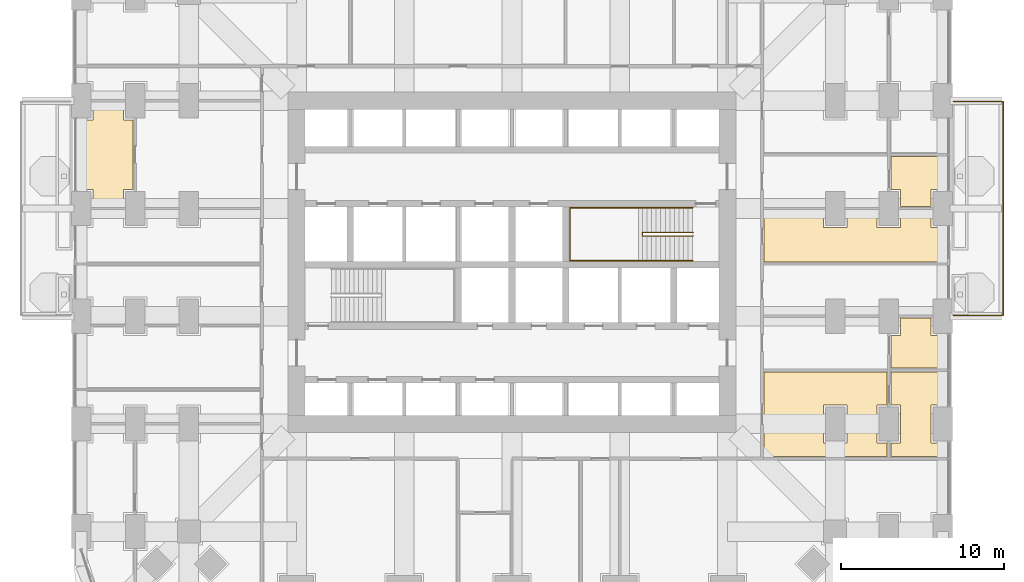
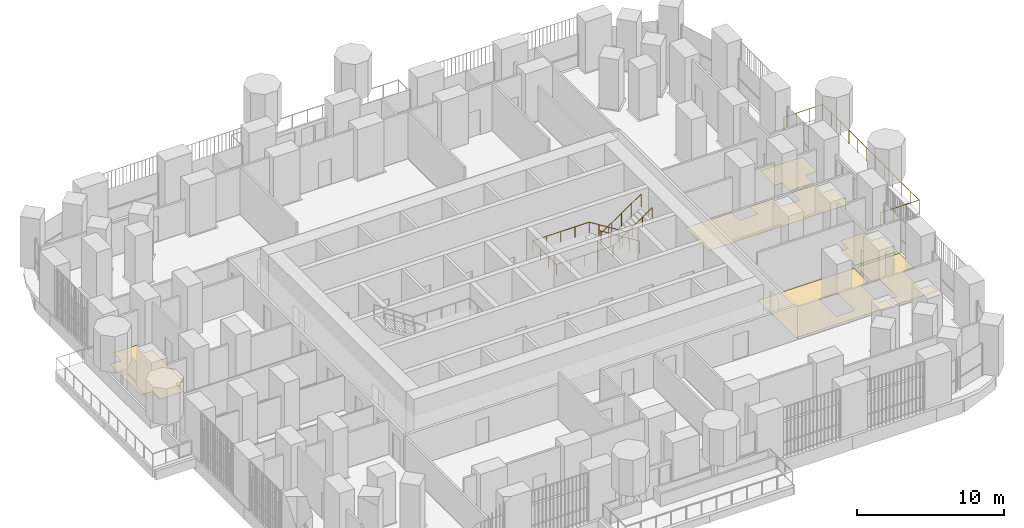
# One storey, part 24 of 26: 6 coverings, 3 railings.
"""IFC4 building model written with IfcOpenShell, lengths in metres."""

from ifc_helpers import new_model, si_unit, direction, frame, origin, place, context, subcontext, project, spatial, polyline, outline, extrude, material, layer, layer_set, type_object, element, save


model = new_model("IFC4")

# Units and contexts
model_context = context("Model", 3, precision=1e-05, world=origin(), true_north=direction((0.0, 1.0)))
body_context = subcontext(model_context, "Body", "Model", "MODEL_VIEW")
ifc_project = project(units=[si_unit("LENGTHUNIT", "METRE"), si_unit("AREAUNIT", "SQUARE_METRE"), si_unit("VOLUMEUNIT", "CUBIC_METRE"), si_unit("PLANEANGLEUNIT", "RADIAN"), si_unit("MASSUNIT", "GRAM", prefix="KILO")], contexts=[model_context])

# Site, building, storey
site_placement = place(None, origin())
site = spatial("IfcSite", under=ifc_project, at=site_placement, CompositionType="ELEMENT")
building_placement = place(site_placement, origin())
building = spatial("IfcBuilding", under=site, at=building_placement, Name="Cobogo Forest Laboratory Tower", CompositionType="ELEMENT")
storey_placement = place(building_placement, frame((0.0, 0.0, 50.699951171875)))
storey = spatial("IfcBuildingStorey", under=building, at=storey_placement, Name="L11", CompositionType="ELEMENT", Elevation=50.699951171875)

# Railing
ifc_material_1 = material(Name="Laminated glass balustrade", Category="glass")
railing_type_1 = type_object("IfcRailingType", Name="BG1 glass balustrade 1100", PredefinedType="GUARDRAIL", material=ifc_material_1)
railing_1_placement = place(storey_placement, frame((53.449951171875, 19.85009765625, 0.0)))
element("IfcRailing", 1, at=railing_1_placement, inside=storey, type_object=railing_type_1, Name="Balcony balustrade BAL-E1 L11", PredefinedType="GUARDRAIL", context=body_context, shape_type="SweptSolid", body=[
    extrude(outline(polyline([(0.022216796875, 0.00927734375), (0.00927734375, 0.022216796875), (-0.00927734375, 0.022216796875), (-0.022216796875, 0.00927734375), (-0.022216796875, -0.00927734375), (-0.00927734375, -0.022216796875), (0.00927734375, -0.022216796875), (0.022216796875, -0.00927734375), (0.022216796875, 0.00927734375)])), frame((0.0, 0.0, 1.077880859375), z_axis=(1.0, 0.0, 0.0), x_axis=(0.0, 1.0, 0.0)), (0.0, 0.0, 1.0), 3.050048828125),
    extrude(outline(polyline([(0.022216796875, 0.00927734375), (0.00927734375, 0.022216796875), (-0.00927734375, 0.022216796875), (-0.022216796875, 0.00927734375), (-0.022216796875, -0.00927734375), (-0.00927734375, -0.022216796875), (0.00927734375, -0.022216796875), (0.022216796875, -0.00927734375), (0.022216796875, 0.00927734375)])), frame((3.050048828125, 0.0, 1.077880859375), z_axis=(0.0, 1.0, 0.0), x_axis=(-1.0, 0.0, 0.0)), (0.0, 0.0, 1.0), 13.099853515625),
    extrude(outline(polyline([(0.022216796875, 0.00927734375), (0.00927734375, 0.022216796875), (-0.00927734375, 0.022216796875), (-0.022216796875, 0.00927734375), (-0.022216796875, -0.00927734375), (-0.00927734375, -0.022216796875), (0.00927734375, -0.022216796875), (0.022216796875, -0.00927734375), (0.022216796875, 0.00927734375)])), frame((3.050048828125, 13.099853515625, 1.077880859375), z_axis=(-1.0, 0.0, 0.0), x_axis=(0.0, -1.0, 0.0)), (0.0, 0.0, 1.0), 3.050048828125),
    extrude(outline(polyline([(0.019287109375, 0.008056640625), (0.008056640625, 0.019287109375), (-0.008056640625, 0.019287109375), (-0.019287109375, 0.008056640625), (-0.019287109375, -0.008056640625), (-0.008056640625, -0.019287109375), (0.008056640625, -0.019287109375), (0.019287109375, -0.008056640625), (0.019287109375, 0.008056640625)])), origin(), (0.0, 0.0, 1.0), 1.077880859375),
    extrude(outline(polyline([(0.019287109375, 0.008056640625), (0.008056640625, 0.019287109375), (-0.008056640625, 0.019287109375), (-0.019287109375, 0.008056640625), (-0.019287109375, -0.008056640625), (-0.008056640625, -0.019287109375), (0.008056640625, -0.019287109375), (0.019287109375, -0.008056640625), (0.019287109375, 0.008056640625)])), frame((1.0166015625, 0.0, 0.0)), (0.0, 0.0, 1.0), 1.077880859375),
    extrude(outline(polyline([(0.019287109375, 0.008056640625), (0.008056640625, 0.019287109375), (-0.008056640625, 0.019287109375), (-0.019287109375, 0.008056640625), (-0.019287109375, -0.008056640625), (-0.008056640625, -0.019287109375), (0.008056640625, -0.019287109375), (0.019287109375, -0.008056640625), (0.019287109375, 0.008056640625)])), frame((2.033447265625, 0.0, 0.0)), (0.0, 0.0, 1.0), 1.077880859375),
    extrude(outline(polyline([(0.019287109375, 0.008056640625), (0.008056640625, 0.019287109375), (-0.008056640625, 0.019287109375), (-0.019287109375, 0.008056640625), (-0.019287109375, -0.008056640625), (-0.008056640625, -0.019287109375), (0.008056640625, -0.019287109375), (0.019287109375, -0.008056640625), (0.019287109375, 0.008056640625)])), frame((3.050048828125, 0.0, 0.0)), (0.0, 0.0, 1.0), 1.077880859375),
    extrude(outline(polyline([(0.019287109375, 0.008056640625), (0.008056640625, 0.019287109375), (-0.008056640625, 0.019287109375), (-0.019287109375, 0.008056640625), (-0.019287109375, -0.008056640625), (-0.008056640625, -0.019287109375), (0.008056640625, -0.019287109375), (0.019287109375, -0.008056640625), (0.019287109375, 0.008056640625)])), frame((3.050048828125, 1.19091796875, 0.0)), (0.0, 0.0, 1.0), 1.077880859375),
    extrude(outline(polyline([(0.019287109375, 0.008056640625), (0.008056640625, 0.019287109375), (-0.008056640625, 0.019287109375), (-0.019287109375, 0.008056640625), (-0.019287109375, -0.008056640625), (-0.008056640625, -0.019287109375), (0.008056640625, -0.019287109375), (0.019287109375, -0.008056640625), (0.019287109375, 0.008056640625)])), frame((3.050048828125, 2.3818359375, 0.0)), (0.0, 0.0, 1.0), 1.077880859375),
    extrude(outline(polyline([(0.019287109375, 0.008056640625), (0.008056640625, 0.019287109375), (-0.008056640625, 0.019287109375), (-0.019287109375, 0.008056640625), (-0.019287109375, -0.008056640625), (-0.008056640625, -0.019287109375), (0.008056640625, -0.019287109375), (0.019287109375, -0.008056640625), (0.019287109375, 0.008056640625)])), frame((3.050048828125, 3.57275390625, 0.0)), (0.0, 0.0, 1.0), 1.077880859375),
    extrude(outline(polyline([(0.019287109375, 0.008056640625), (0.008056640625, 0.019287109375), (-0.008056640625, 0.019287109375), (-0.019287109375, 0.008056640625), (-0.019287109375, -0.008056640625), (-0.008056640625, -0.019287109375), (0.008056640625, -0.019287109375), (0.019287109375, -0.008056640625), (0.019287109375, 0.008056640625)])), frame((3.050048828125, 4.763671875, 0.0)), (0.0, 0.0, 1.0), 1.077880859375),
    extrude(outline(polyline([(0.019287109375, 0.008056640625), (0.008056640625, 0.019287109375), (-0.008056640625, 0.019287109375), (-0.019287109375, 0.008056640625), (-0.019287109375, -0.008056640625), (-0.008056640625, -0.019287109375), (0.008056640625, -0.019287109375), (0.019287109375, -0.008056640625), (0.019287109375, 0.008056640625)])), frame((3.050048828125, 5.95458984375, 0.0)), (0.0, 0.0, 1.0), 1.077880859375),
    extrude(outline(polyline([(0.019287109375, 0.008056640625), (0.008056640625, 0.019287109375), (-0.008056640625, 0.019287109375), (-0.019287109375, 0.008056640625), (-0.019287109375, -0.008056640625), (-0.008056640625, -0.019287109375), (0.008056640625, -0.019287109375), (0.019287109375, -0.008056640625), (0.019287109375, 0.008056640625)])), frame((3.050048828125, 7.145263671875, 0.0)), (0.0, 0.0, 1.0), 1.077880859375),
    extrude(outline(polyline([(0.019287109375, 0.008056640625), (0.008056640625, 0.019287109375), (-0.008056640625, 0.019287109375), (-0.019287109375, 0.008056640625), (-0.019287109375, -0.008056640625), (-0.008056640625, -0.019287109375), (0.008056640625, -0.019287109375), (0.019287109375, -0.008056640625), (0.019287109375, 0.008056640625)])), frame((3.050048828125, 8.336181640625, 0.0)), (0.0, 0.0, 1.0), 1.077880859375),
    extrude(outline(polyline([(0.019287109375, 0.008056640625), (0.008056640625, 0.019287109375), (-0.008056640625, 0.019287109375), (-0.019287109375, 0.008056640625), (-0.019287109375, -0.008056640625), (-0.008056640625, -0.019287109375), (0.008056640625, -0.019287109375), (0.019287109375, -0.008056640625), (0.019287109375, 0.008056640625)])), frame((3.050048828125, 9.527099609375, 0.0)), (0.0, 0.0, 1.0), 1.077880859375),
    extrude(outline(polyline([(0.019287109375, 0.008056640625), (0.008056640625, 0.019287109375), (-0.008056640625, 0.019287109375), (-0.019287109375, 0.008056640625), (-0.019287109375, -0.008056640625), (-0.008056640625, -0.019287109375), (0.008056640625, -0.019287109375), (0.019287109375, -0.008056640625), (0.019287109375, 0.008056640625)])), frame((3.050048828125, 10.718017578125, 0.0)), (0.0, 0.0, 1.0), 1.077880859375),
    extrude(outline(polyline([(0.019287109375, 0.008056640625), (0.008056640625, 0.019287109375), (-0.008056640625, 0.019287109375), (-0.019287109375, 0.008056640625), (-0.019287109375, -0.008056640625), (-0.008056640625, -0.019287109375), (0.008056640625, -0.019287109375), (0.019287109375, -0.008056640625), (0.019287109375, 0.008056640625)])), frame((3.050048828125, 11.908935546875, 0.0)), (0.0, 0.0, 1.0), 1.077880859375),
    extrude(outline(polyline([(0.019287109375, 0.008056640625), (0.008056640625, 0.019287109375), (-0.008056640625, 0.019287109375), (-0.019287109375, 0.008056640625), (-0.019287109375, -0.008056640625), (-0.008056640625, -0.019287109375), (0.008056640625, -0.019287109375), (0.019287109375, -0.008056640625), (0.019287109375, 0.008056640625)])), frame((3.050048828125, 13.099853515625, 0.0)), (0.0, 0.0, 1.0), 1.077880859375),
    extrude(outline(polyline([(0.019287109375, 0.008056640625), (0.008056640625, 0.019287109375), (-0.008056640625, 0.019287109375), (-0.019287109375, 0.008056640625), (-0.019287109375, -0.008056640625), (-0.008056640625, -0.019287109375), (0.008056640625, -0.019287109375), (0.019287109375, -0.008056640625), (0.019287109375, 0.008056640625)])), frame((2.033447265625, 13.099853515625, 0.0)), (0.0, 0.0, 1.0), 1.077880859375),
    extrude(outline(polyline([(0.019287109375, 0.008056640625), (0.008056640625, 0.019287109375), (-0.008056640625, 0.019287109375), (-0.019287109375, 0.008056640625), (-0.019287109375, -0.008056640625), (-0.008056640625, -0.019287109375), (0.008056640625, -0.019287109375), (0.019287109375, -0.008056640625), (0.019287109375, 0.008056640625)])), frame((1.0166015625, 13.099853515625, 0.0)), (0.0, 0.0, 1.0), 1.077880859375),
    extrude(outline(polyline([(0.019287109375, 0.008056640625), (0.008056640625, 0.019287109375), (-0.008056640625, 0.019287109375), (-0.019287109375, 0.008056640625), (-0.019287109375, -0.008056640625), (-0.008056640625, -0.019287109375), (0.008056640625, -0.019287109375), (0.019287109375, -0.008056640625), (0.019287109375, 0.008056640625)])), frame((0.0, 13.099853515625, 0.0)), (0.0, 0.0, 1.0), 1.077880859375),
])

# Coverings
ifc_material_2 = material(Name="Carpet tile on raised access floor", Category="flooring")
ifc_layer_1 = layer(ifc_material_2, 0.008056640625)
ifc_layer_set_1 = layer_set([ifc_layer_1], Name="CT1 carpet tile floor 8")
covering_type_1 = type_object("IfcCoveringType", Name="CT1 carpet tile floor 8", PredefinedType="FLOORING", material=ifc_layer_set_1)
covering_1_placement = place(storey_placement, origin())
element("IfcCovering", 2, at=covering_1_placement, inside=storey, type_object=covering_type_1, Name="Carpet floor L11-10", PredefinedType="FLOORING", context=body_context, shape_type="SweptSolid", body=[
    extrude(outline(polyline([(49.6201171875, 12.030029296875), (50.219970703125, 12.030029296875), (50.219970703125, 14.3701171875), (49.6201171875, 14.3701171875), (49.6201171875, 16.3798828125), (52.949951171875, 16.3798828125), (52.949951171875, 14.3701171875), (52.080078125, 14.3701171875), (52.080078125, 12.030029296875), (52.949951171875, 12.030029296875), (52.949951171875, 11.195068359375), (49.6201171875, 11.195068359375), (49.6201171875, 12.030029296875)])), origin(), (0.0, 0.0, 1.0), 0.008056640625),
])
covering_2_placement = place(storey_placement, origin())
element("IfcCovering", 3, at=covering_2_placement, inside=storey, type_object=covering_type_1, Name="Carpet floor L11-12", PredefinedType="FLOORING", context=body_context, shape_type="SweptSolid", body=[
    extrude(outline(polyline([(49.6201171875, 18.6298828125), (50.219970703125, 18.6298828125), (50.219970703125, 19.679931640625), (52.080078125, 19.679931640625), (52.080078125, 18.6298828125), (52.949951171875, 18.6298828125), (52.949951171875, 16.6201171875), (49.6201171875, 16.6201171875), (49.6201171875, 18.6298828125)])), origin(), (0.0, 0.0, 1.0), 0.008056640625),
])
covering_3_placement = place(storey_placement, origin())
element("IfcCovering", 4, at=covering_3_placement, inside=storey, type_object=covering_type_1, Name="Carpet floor L11-16", PredefinedType="FLOORING", context=body_context, shape_type="SweptSolid", body=[
    extrude(outline(polyline([(49.6201171875, 29.580078125), (52.949951171875, 29.580078125), (52.949951171875, 27.570068359375), (52.080078125, 27.570068359375), (52.080078125, 26.52001953125), (50.219970703125, 26.52001953125), (50.219970703125, 27.570068359375), (49.6201171875, 27.570068359375), (49.6201171875, 29.580078125)])), origin(), (0.0, 0.0, 1.0), 0.008056640625),
])
covering_4_placement = place(storey_placement, origin())
element("IfcCovering", 5, at=covering_4_placement, inside=storey, type_object=covering_type_1, Name="Carpet floor L11-35", PredefinedType="FLOORING", context=body_context, shape_type="SweptSolid", body=[
    extrude(outline(polyline([(3.179931640625, 27.570068359375), (2.580078125, 27.570068359375), (2.580078125, 26.52001953125), (0.719970703125, 26.52001953125), (0.719970703125, 27.570068359375), (-0.14990234375, 27.570068359375), (-0.14990234375, 31.830078125), (0.719970703125, 31.830078125), (0.719970703125, 32.8798828125), (2.580078125, 32.8798828125), (2.580078125, 31.830078125), (3.179931640625, 31.830078125), (3.179931640625, 27.570068359375)])), origin(), (0.0, 0.0, 1.0), 0.008056640625),
])

# Railings
ifc_material_3 = material(Name="Steel balustrade", Category="steel")
railing_type_2 = type_object("IfcRailingType", Name="GR stair guard 1100", PredefinedType="GUARDRAIL", material=ifc_material_3)
railing_2_placement = place(storey_placement, frame((37.47509765625, 24.929931640625, 0.175048828125)))
element("IfcRailing", 6, at=railing_2_placement, inside=storey, type_object=railing_type_2, Name="Stair guard ST2 L11", PredefinedType="GUARDRAIL", context=body_context, shape_type="SweptSolid", body=[
    extrude(outline(polyline([(0.022216796875, 0.00927734375), (0.00927734375, 0.022216796875), (-0.00927734375, 0.022216796875), (-0.022216796875, 0.00927734375), (-0.022216796875, -0.00927734375), (-0.00927734375, -0.022216796875), (0.00927734375, -0.022216796875), (0.022216796875, -0.00927734375), (0.022216796875, 0.00927734375)])), frame((0.0, 0.0, 1.077880859375), z_axis=(-0.847998304005, 0.0, 0.529998940003), x_axis=(0.0, -1.0, 0.0)), (0.0, 0.0, 1.0), 3.632080078125),
    extrude(outline(polyline([(0.022216796875, 0.00927734375), (0.00927734375, 0.022216796875), (-0.00927734375, 0.022216796875), (-0.022216796875, 0.00927734375), (-0.022216796875, -0.00927734375), (-0.00927734375, -0.022216796875), (0.00927734375, -0.022216796875), (0.022216796875, -0.00927734375), (0.022216796875, 0.00927734375)])), frame((-3.080078125, 0.0, 3.0029296875), z_axis=(0.0, -1.0, 0.0), x_axis=(1.0, 0.0, 0.0)), (0.0, 0.0, 1.0), 0.2099609375),
    extrude(outline(polyline([(0.022216796875, 0.00927734375), (0.00927734375, 0.022216796875), (-0.00927734375, 0.022216796875), (-0.022216796875, 0.00927734375), (-0.022216796875, -0.00927734375), (-0.00927734375, -0.022216796875), (0.00927734375, -0.022216796875), (0.022216796875, -0.00927734375), (0.022216796875, 0.00927734375)])), frame((-3.080078125, -0.2099609375, 3.0029296875), z_axis=(0.826252282691, 0.0, 0.563300244406), x_axis=(0.0, 1.0, 0.0)), (0.0, 0.0, 1.0), 3.727783203125),
    extrude(outline(polyline([(0.019287109375, 0.008056640625), (0.008056640625, 0.019287109375), (-0.008056640625, 0.019287109375), (-0.019287109375, 0.008056640625), (-0.019287109375, -0.008056640625), (-0.008056640625, -0.019287109375), (0.008056640625, -0.019287109375), (0.019287109375, -0.008056640625), (0.019287109375, 0.008056640625)])), origin(), (0.0, 0.0, 1.0), 1.077880859375),
    extrude(outline(polyline([(0.019287109375, 0.008056640625), (0.008056640625, 0.019287109375), (-0.008056640625, 0.019287109375), (-0.019287109375, 0.008056640625), (-0.019287109375, -0.008056640625), (-0.008056640625, -0.019287109375), (0.008056640625, -0.019287109375), (0.019287109375, -0.008056640625), (0.019287109375, 0.008056640625)])), frame((-0.77001953125, 0.0, 0.481201171875)), (0.0, 0.0, 1.0), 1.077880859375),
    extrude(outline(polyline([(0.019287109375, 0.008056640625), (0.008056640625, 0.019287109375), (-0.008056640625, 0.019287109375), (-0.019287109375, 0.008056640625), (-0.019287109375, -0.008056640625), (-0.008056640625, -0.019287109375), (0.008056640625, -0.019287109375), (0.019287109375, -0.008056640625), (0.019287109375, 0.008056640625)])), frame((-1.5400390625, 0.0, 0.96240234375)), (0.0, 0.0, 1.0), 1.077880859375),
    extrude(outline(polyline([(0.019287109375, 0.008056640625), (0.008056640625, 0.019287109375), (-0.008056640625, 0.019287109375), (-0.019287109375, 0.008056640625), (-0.019287109375, -0.008056640625), (-0.008056640625, -0.019287109375), (0.008056640625, -0.019287109375), (0.019287109375, -0.008056640625), (0.019287109375, 0.008056640625)])), frame((-2.31005859375, 0.0, 1.44384765625)), (0.0, 0.0, 1.0), 1.077880859375),
    extrude(outline(polyline([(0.019287109375, 0.008056640625), (0.008056640625, 0.019287109375), (-0.008056640625, 0.019287109375), (-0.019287109375, 0.008056640625), (-0.019287109375, -0.008056640625), (-0.008056640625, -0.019287109375), (0.008056640625, -0.019287109375), (0.019287109375, -0.008056640625), (0.019287109375, 0.008056640625)])), frame((-3.080078125, 0.0, 1.925048828125)), (0.0, 0.0, 1.0), 1.077880859375),
    extrude(outline(polyline([(0.019287109375, 0.008056640625), (0.008056640625, 0.019287109375), (-0.008056640625, 0.019287109375), (-0.019287109375, 0.008056640625), (-0.019287109375, -0.008056640625), (-0.008056640625, -0.019287109375), (0.008056640625, -0.019287109375), (0.019287109375, -0.008056640625), (0.019287109375, 0.008056640625)])), frame((-3.080078125, -0.2099609375, 1.925048828125)), (0.0, 0.0, 1.0), 1.077880859375),
    extrude(outline(polyline([(0.019287109375, 0.008056640625), (0.008056640625, 0.019287109375), (-0.008056640625, 0.019287109375), (-0.019287109375, 0.008056640625), (-0.019287109375, -0.008056640625), (-0.008056640625, -0.019287109375), (0.008056640625, -0.019287109375), (0.019287109375, -0.008056640625), (0.019287109375, 0.008056640625)])), frame((-2.31005859375, -0.2099609375, 2.449951171875)), (0.0, 0.0, 1.0), 1.077880859375),
    extrude(outline(polyline([(0.019287109375, 0.008056640625), (0.008056640625, 0.019287109375), (-0.008056640625, 0.019287109375), (-0.019287109375, 0.008056640625), (-0.019287109375, -0.008056640625), (-0.008056640625, -0.019287109375), (0.008056640625, -0.019287109375), (0.019287109375, -0.008056640625), (0.019287109375, 0.008056640625)])), frame((-1.5400390625, -0.2099609375, 2.97509765625)), (0.0, 0.0, 1.0), 1.077880859375),
    extrude(outline(polyline([(0.019287109375, 0.008056640625), (0.008056640625, 0.019287109375), (-0.008056640625, 0.019287109375), (-0.019287109375, 0.008056640625), (-0.019287109375, -0.008056640625), (-0.008056640625, -0.019287109375), (0.008056640625, -0.019287109375), (0.019287109375, -0.008056640625), (0.019287109375, 0.008056640625)])), frame((-0.77001953125, -0.2099609375, 3.5)), (0.0, 0.0, 1.0), 1.077880859375),
    extrude(outline(polyline([(0.019287109375, 0.008056640625), (0.008056640625, 0.019287109375), (-0.008056640625, 0.019287109375), (-0.019287109375, 0.008056640625), (-0.019287109375, -0.008056640625), (-0.008056640625, -0.019287109375), (0.008056640625, -0.019287109375), (0.019287109375, -0.008056640625), (0.019287109375, 0.008056640625)])), frame((0.0, -0.2099609375, 4.02490234375)), (0.0, 0.0, 1.0), 1.077880859375),
])
ifc_material_4 = material(Name="Stainless steel handrail", Category="steel")
railing_type_3 = type_object("IfcRailingType", Name="HR handrail 900", PredefinedType="HANDRAIL", material=ifc_material_4)
railing_3_placement = place(storey_placement, frame((37.47509765625, 26.449951171875, 0.175048828125)))
element("IfcRailing", 7, at=railing_3_placement, inside=storey, type_object=railing_type_3, Name="Stair handrail ST2 L11", PredefinedType="HANDRAIL", context=body_context, shape_type="SweptSolid", body=[
    extrude(outline(polyline([(0.022216796875, 0.00927734375), (0.00927734375, 0.022216796875), (-0.00927734375, 0.022216796875), (-0.022216796875, 0.00927734375), (-0.022216796875, -0.00927734375), (-0.00927734375, -0.022216796875), (0.00927734375, -0.022216796875), (0.022216796875, -0.00927734375), (0.022216796875, 0.00927734375)])), frame((0.0, 0.0, 0.877685546875), z_axis=(-0.847998304005, 0.0, 0.529998940003), x_axis=(0.0, -1.0, 0.0)), (0.0, 0.0, 1.0), 3.632080078125),
    extrude(outline(polyline([(0.022216796875, 0.00927734375), (0.00927734375, 0.022216796875), (-0.00927734375, 0.022216796875), (-0.022216796875, 0.00927734375), (-0.022216796875, -0.00927734375), (-0.00927734375, -0.022216796875), (0.00927734375, -0.022216796875), (0.022216796875, -0.00927734375), (0.022216796875, 0.00927734375)])), frame((-3.080078125, 0.0, 2.802734375), z_axis=(-1.0, 0.0, 0.0), x_axis=(0.0, -1.0, 0.0)), (0.0, 0.0, 1.0), 4.445068359375),
    extrude(outline(polyline([(0.022216796875, 0.00927734375), (0.00927734375, 0.022216796875), (-0.00927734375, 0.022216796875), (-0.022216796875, 0.00927734375), (-0.022216796875, -0.00927734375), (-0.00927734375, -0.022216796875), (0.00927734375, -0.022216796875), (0.022216796875, -0.00927734375), (0.022216796875, 0.00927734375)])), frame((-7.525146484375, 0.0, 2.802734375), z_axis=(0.0, -1.0, 0.0), x_axis=(1.0, 0.0, 0.0)), (0.0, 0.0, 1.0), 3.25),
    extrude(outline(polyline([(0.022216796875, 0.00927734375), (0.00927734375, 0.022216796875), (-0.00927734375, 0.022216796875), (-0.022216796875, 0.00927734375), (-0.022216796875, -0.00927734375), (-0.00927734375, -0.022216796875), (0.00927734375, -0.022216796875), (0.022216796875, -0.00927734375), (0.022216796875, 0.00927734375)])), frame((-7.525146484375, -3.25, 2.802734375), z_axis=(1.0, 0.0, 0.0), x_axis=(0.0, 1.0, 0.0)), (0.0, 0.0, 1.0), 4.445068359375),
    extrude(outline(polyline([(0.022216796875, 0.00927734375), (0.00927734375, 0.022216796875), (-0.00927734375, 0.022216796875), (-0.022216796875, 0.00927734375), (-0.022216796875, -0.00927734375), (-0.00927734375, -0.022216796875), (0.00927734375, -0.022216796875), (0.022216796875, -0.00927734375), (0.022216796875, 0.00927734375)])), frame((-3.080078125, -3.25, 2.802734375), z_axis=(0.826252282691, 0.0, 0.563300244406), x_axis=(0.0, 1.0, 0.0)), (0.0, 0.0, 1.0), 3.727783203125),
    extrude(outline(polyline([(0.019287109375, 0.008056640625), (0.008056640625, 0.019287109375), (-0.008056640625, 0.019287109375), (-0.019287109375, 0.008056640625), (-0.019287109375, -0.008056640625), (-0.008056640625, -0.019287109375), (0.008056640625, -0.019287109375), (0.019287109375, -0.008056640625), (0.019287109375, 0.008056640625)])), origin(), (0.0, 0.0, 1.0), 0.877685546875),
    extrude(outline(polyline([(0.019287109375, 0.008056640625), (0.008056640625, 0.019287109375), (-0.008056640625, 0.019287109375), (-0.019287109375, 0.008056640625), (-0.019287109375, -0.008056640625), (-0.008056640625, -0.019287109375), (0.008056640625, -0.019287109375), (0.019287109375, -0.008056640625), (0.019287109375, 0.008056640625)])), frame((-0.77001953125, 0.0, 0.481201171875)), (0.0, 0.0, 1.0), 0.877685546875),
    extrude(outline(polyline([(0.019287109375, 0.008056640625), (0.008056640625, 0.019287109375), (-0.008056640625, 0.019287109375), (-0.019287109375, 0.008056640625), (-0.019287109375, -0.008056640625), (-0.008056640625, -0.019287109375), (0.008056640625, -0.019287109375), (0.019287109375, -0.008056640625), (0.019287109375, 0.008056640625)])), frame((-1.5400390625, 0.0, 0.96240234375)), (0.0, 0.0, 1.0), 0.877685546875),
    extrude(outline(polyline([(0.019287109375, 0.008056640625), (0.008056640625, 0.019287109375), (-0.008056640625, 0.019287109375), (-0.019287109375, 0.008056640625), (-0.019287109375, -0.008056640625), (-0.008056640625, -0.019287109375), (0.008056640625, -0.019287109375), (0.019287109375, -0.008056640625), (0.019287109375, 0.008056640625)])), frame((-2.31005859375, 0.0, 1.44384765625)), (0.0, 0.0, 1.0), 0.877685546875),
    extrude(outline(polyline([(0.019287109375, 0.008056640625), (0.008056640625, 0.019287109375), (-0.008056640625, 0.019287109375), (-0.019287109375, 0.008056640625), (-0.019287109375, -0.008056640625), (-0.008056640625, -0.019287109375), (0.008056640625, -0.019287109375), (0.019287109375, -0.008056640625), (0.019287109375, 0.008056640625)])), frame((-3.080078125, 0.0, 1.925048828125)), (0.0, 0.0, 1.0), 0.877685546875),
    extrude(outline(polyline([(0.019287109375, 0.008056640625), (0.008056640625, 0.019287109375), (-0.008056640625, 0.019287109375), (-0.019287109375, 0.008056640625), (-0.019287109375, -0.008056640625), (-0.008056640625, -0.019287109375), (0.008056640625, -0.019287109375), (0.019287109375, -0.008056640625), (0.019287109375, 0.008056640625)])), frame((-4.19140625, 0.0, 1.925048828125)), (0.0, 0.0, 1.0), 0.877685546875),
    extrude(outline(polyline([(0.019287109375, 0.008056640625), (0.008056640625, 0.019287109375), (-0.008056640625, 0.019287109375), (-0.019287109375, 0.008056640625), (-0.019287109375, -0.008056640625), (-0.008056640625, -0.019287109375), (0.008056640625, -0.019287109375), (0.019287109375, -0.008056640625), (0.019287109375, 0.008056640625)])), frame((-5.302734375, 0.0, 1.925048828125)), (0.0, 0.0, 1.0), 0.877685546875),
    extrude(outline(polyline([(0.019287109375, 0.008056640625), (0.008056640625, 0.019287109375), (-0.008056640625, 0.019287109375), (-0.019287109375, 0.008056640625), (-0.019287109375, -0.008056640625), (-0.008056640625, -0.019287109375), (0.008056640625, -0.019287109375), (0.019287109375, -0.008056640625), (0.019287109375, 0.008056640625)])), frame((-6.413818359375, 0.0, 1.925048828125)), (0.0, 0.0, 1.0), 0.877685546875),
    extrude(outline(polyline([(0.019287109375, 0.008056640625), (0.008056640625, 0.019287109375), (-0.008056640625, 0.019287109375), (-0.019287109375, 0.008056640625), (-0.019287109375, -0.008056640625), (-0.008056640625, -0.019287109375), (0.008056640625, -0.019287109375), (0.019287109375, -0.008056640625), (0.019287109375, 0.008056640625)])), frame((-7.525146484375, 0.0, 1.925048828125)), (0.0, 0.0, 1.0), 0.877685546875),
    extrude(outline(polyline([(0.019287109375, 0.008056640625), (0.008056640625, 0.019287109375), (-0.008056640625, 0.019287109375), (-0.019287109375, 0.008056640625), (-0.019287109375, -0.008056640625), (-0.008056640625, -0.019287109375), (0.008056640625, -0.019287109375), (0.019287109375, -0.008056640625), (0.019287109375, 0.008056640625)])), frame((-7.525146484375, -1.083251953125, 1.925048828125)), (0.0, 0.0, 1.0), 0.877685546875),
    extrude(outline(polyline([(0.019287109375, 0.008056640625), (0.008056640625, 0.019287109375), (-0.008056640625, 0.019287109375), (-0.019287109375, 0.008056640625), (-0.019287109375, -0.008056640625), (-0.008056640625, -0.019287109375), (0.008056640625, -0.019287109375), (0.019287109375, -0.008056640625), (0.019287109375, 0.008056640625)])), frame((-7.525146484375, -2.166748046875, 1.925048828125)), (0.0, 0.0, 1.0), 0.877685546875),
    extrude(outline(polyline([(0.019287109375, 0.008056640625), (0.008056640625, 0.019287109375), (-0.008056640625, 0.019287109375), (-0.019287109375, 0.008056640625), (-0.019287109375, -0.008056640625), (-0.008056640625, -0.019287109375), (0.008056640625, -0.019287109375), (0.019287109375, -0.008056640625), (0.019287109375, 0.008056640625)])), frame((-7.525146484375, -3.25, 1.925048828125)), (0.0, 0.0, 1.0), 0.877685546875),
    extrude(outline(polyline([(0.019287109375, 0.008056640625), (0.008056640625, 0.019287109375), (-0.008056640625, 0.019287109375), (-0.019287109375, 0.008056640625), (-0.019287109375, -0.008056640625), (-0.008056640625, -0.019287109375), (0.008056640625, -0.019287109375), (0.019287109375, -0.008056640625), (0.019287109375, 0.008056640625)])), frame((-6.413818359375, -3.25, 1.925048828125)), (0.0, 0.0, 1.0), 0.877685546875),
    extrude(outline(polyline([(0.019287109375, 0.008056640625), (0.008056640625, 0.019287109375), (-0.008056640625, 0.019287109375), (-0.019287109375, 0.008056640625), (-0.019287109375, -0.008056640625), (-0.008056640625, -0.019287109375), (0.008056640625, -0.019287109375), (0.019287109375, -0.008056640625), (0.019287109375, 0.008056640625)])), frame((-5.302734375, -3.25, 1.925048828125)), (0.0, 0.0, 1.0), 0.877685546875),
    extrude(outline(polyline([(0.019287109375, 0.008056640625), (0.008056640625, 0.019287109375), (-0.008056640625, 0.019287109375), (-0.019287109375, 0.008056640625), (-0.019287109375, -0.008056640625), (-0.008056640625, -0.019287109375), (0.008056640625, -0.019287109375), (0.019287109375, -0.008056640625), (0.019287109375, 0.008056640625)])), frame((-4.19140625, -3.25, 1.925048828125)), (0.0, 0.0, 1.0), 0.877685546875),
    extrude(outline(polyline([(0.019287109375, 0.008056640625), (0.008056640625, 0.019287109375), (-0.008056640625, 0.019287109375), (-0.019287109375, 0.008056640625), (-0.019287109375, -0.008056640625), (-0.008056640625, -0.019287109375), (0.008056640625, -0.019287109375), (0.019287109375, -0.008056640625), (0.019287109375, 0.008056640625)])), frame((-3.080078125, -3.25, 1.925048828125)), (0.0, 0.0, 1.0), 0.877685546875),
    extrude(outline(polyline([(0.019287109375, 0.008056640625), (0.008056640625, 0.019287109375), (-0.008056640625, 0.019287109375), (-0.019287109375, 0.008056640625), (-0.019287109375, -0.008056640625), (-0.008056640625, -0.019287109375), (0.008056640625, -0.019287109375), (0.019287109375, -0.008056640625), (0.019287109375, 0.008056640625)])), frame((-2.31005859375, -3.25, 2.449951171875)), (0.0, 0.0, 1.0), 0.877685546875),
    extrude(outline(polyline([(0.019287109375, 0.008056640625), (0.008056640625, 0.019287109375), (-0.008056640625, 0.019287109375), (-0.019287109375, 0.008056640625), (-0.019287109375, -0.008056640625), (-0.008056640625, -0.019287109375), (0.008056640625, -0.019287109375), (0.019287109375, -0.008056640625), (0.019287109375, 0.008056640625)])), frame((-1.5400390625, -3.25, 2.97509765625)), (0.0, 0.0, 1.0), 0.877685546875),
    extrude(outline(polyline([(0.019287109375, 0.008056640625), (0.008056640625, 0.019287109375), (-0.008056640625, 0.019287109375), (-0.019287109375, 0.008056640625), (-0.019287109375, -0.008056640625), (-0.008056640625, -0.019287109375), (0.008056640625, -0.019287109375), (0.019287109375, -0.008056640625), (0.019287109375, 0.008056640625)])), frame((-0.77001953125, -3.25, 3.5)), (0.0, 0.0, 1.0), 0.877685546875),
    extrude(outline(polyline([(0.019287109375, 0.008056640625), (0.008056640625, 0.019287109375), (-0.008056640625, 0.019287109375), (-0.019287109375, 0.008056640625), (-0.019287109375, -0.008056640625), (-0.008056640625, -0.019287109375), (0.008056640625, -0.019287109375), (0.019287109375, -0.008056640625), (0.019287109375, 0.008056640625)])), frame((0.0, -3.25, 4.02490234375)), (0.0, 0.0, 1.0), 0.877685546875),
])

# Coverings
ifc_material_5 = material(Name="Epoxy resin flooring", Category="flooring")
ifc_layer_2 = layer(ifc_material_5, 0.00390625)
ifc_layer_set_2 = layer_set([ifc_layer_2], Name="LF1 epoxy laboratory floor 4")
covering_type_2 = type_object("IfcCoveringType", Name="LF1 epoxy laboratory floor 4", PredefinedType="FLOORING", material=ifc_layer_set_2)
covering_5_placement = place(storey_placement, origin())
element("IfcCovering", 8, at=covering_5_placement, inside=storey, type_object=covering_type_2, Name="Epoxy laboratory floor L11-09", PredefinedType="FLOORING", context=body_context, shape_type="SweptSolid", body=[
    extrude(outline(polyline([(41.844970703125, 16.3798828125), (49.3798828125, 16.3798828125), (49.3798828125, 14.3701171875), (48.780029296875, 14.3701171875), (48.780029296875, 12.030029296875), (49.3798828125, 12.030029296875), (49.3798828125, 11.195068359375), (41.844970703125, 11.195068359375), (41.844970703125, 16.3798828125)]), holes=[polyline([(45.47998046875, 12.030029296875), (46.919921875, 12.030029296875), (46.919921875, 14.3701171875), (45.47998046875, 14.3701171875), (45.47998046875, 12.030029296875)])]), origin(), (0.0, 0.0, 1.0), 0.004150390625),
])
ifc_material_6 = material(Name="Static-dissipative vinyl flooring", Category="flooring")
ifc_layer_3 = layer(ifc_material_6, 0.0029296875)
ifc_layer_set_3 = layer_set([ifc_layer_3], Name="SD1 static-dissipative vinyl floor 3")
covering_type_3 = type_object("IfcCoveringType", Name="SD1 static-dissipative vinyl floor 3", PredefinedType="FLOORING", material=ifc_layer_set_3)
covering_6_placement = place(storey_placement, origin())
element("IfcCovering", 9, at=covering_6_placement, inside=storey, type_object=covering_type_3, Name="Static-dissipative floor L11-14", PredefinedType="FLOORING", context=body_context, shape_type="SweptSolid", body=[
    extrude(outline(polyline([(41.844970703125, 26.280029296875), (45.47998046875, 26.280029296875), (45.47998046875, 25.22998046875), (46.919921875, 25.22998046875), (46.919921875, 26.280029296875), (48.780029296875, 26.280029296875), (48.780029296875, 25.22998046875), (50.219970703125, 25.22998046875), (50.219970703125, 26.280029296875), (52.080078125, 26.280029296875), (52.080078125, 25.22998046875), (52.949951171875, 25.22998046875), (52.949951171875, 23.1201171875), (41.844970703125, 23.1201171875), (41.844970703125, 26.280029296875)])), origin(), (0.0, 0.0, 1.0), 0.0029296875),
])

save(model, "model.ifc")
